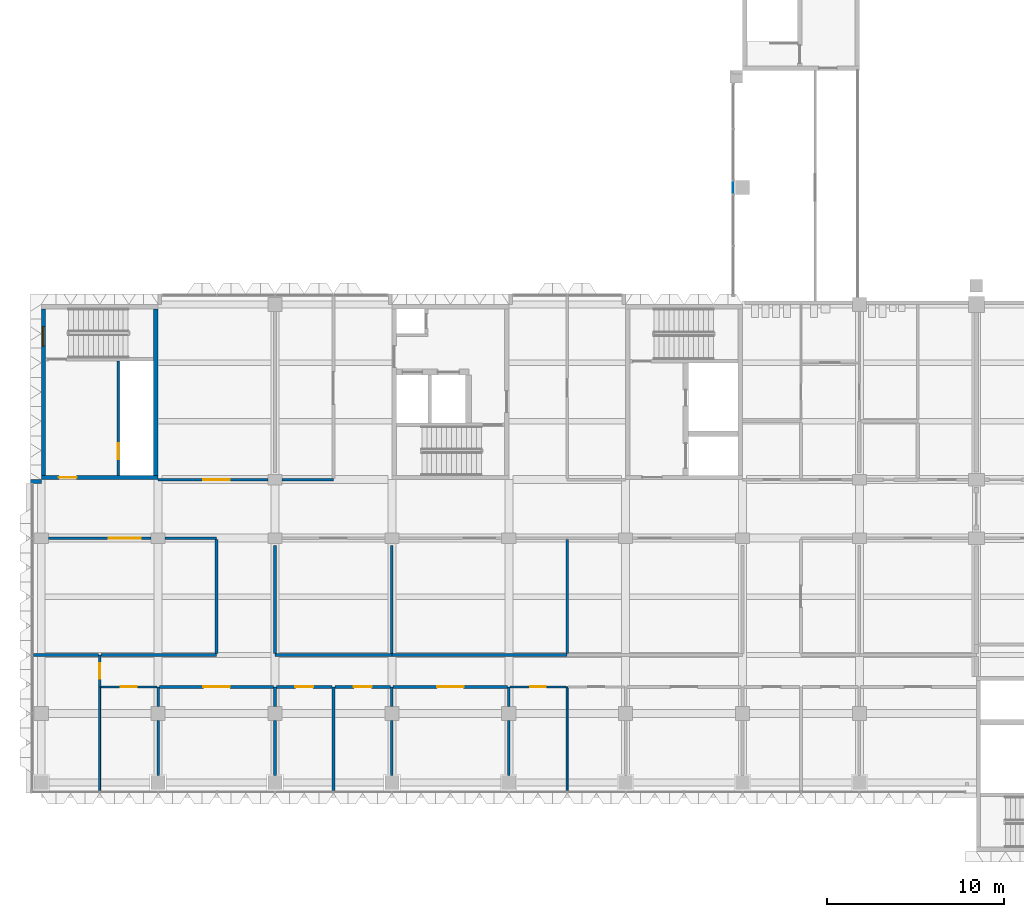
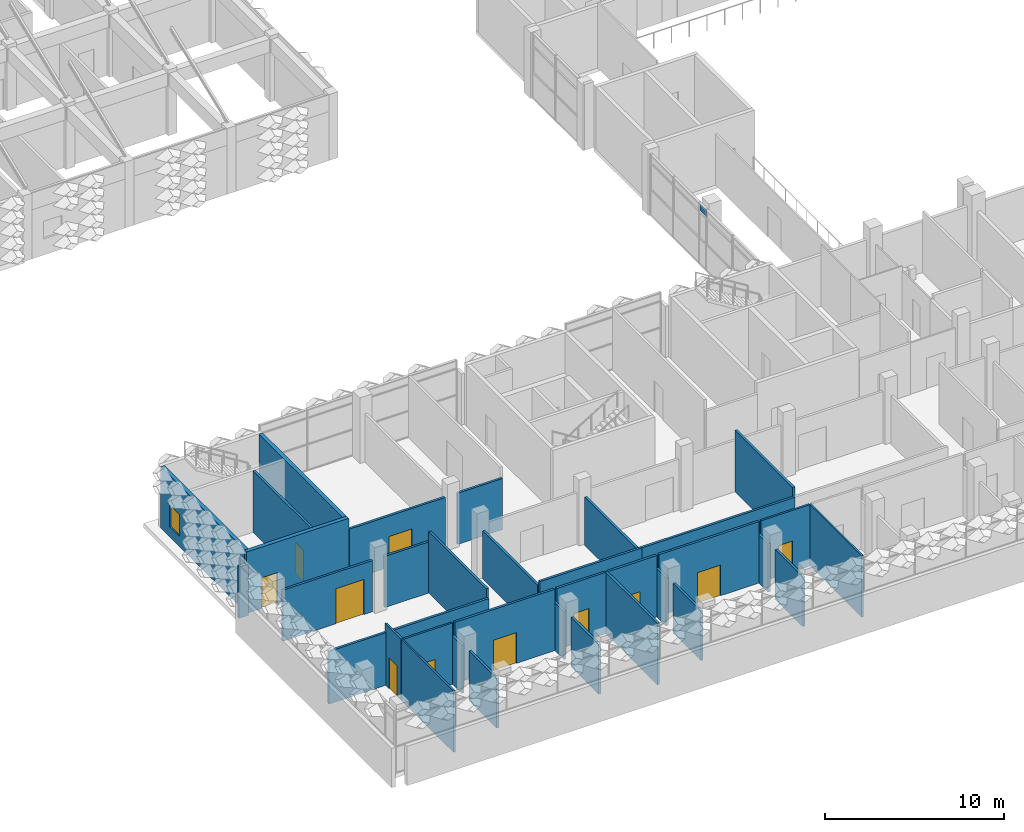
# One storey, part 40 of 102: 35 walls, 11 doors, 1 plate, 1 window, 12 openings, 1 element without a shape of its own.
"""IFC4 building model written with IfcOpenShell, lengths in metres."""

from ifc_helpers import new_model, si_unit, direction, frame, frame_2d, origin, origin_2d, place, context, subcontext, project, spatial, rectangle, extrude, material, layer, layer_set, type_object, element, fill, aggregate, save


model = new_model("IFC4")

# Units and contexts
model_context = context("Model", 3, precision=1e-05, world=origin(), true_north=direction((0.0, 1.0)))
body_context = subcontext(model_context, "Body", "Model", "MODEL_VIEW")
ifc_project = project(units=[si_unit("LENGTHUNIT", "METRE"), si_unit("AREAUNIT", "SQUARE_METRE"), si_unit("VOLUMEUNIT", "CUBIC_METRE"), si_unit("PLANEANGLEUNIT", "RADIAN"), si_unit("MASSUNIT", "GRAM", prefix="KILO")], contexts=[model_context])

# Site, building, storey
site_placement = place(None, origin())
site = spatial("IfcSite", under=ifc_project, at=site_placement, CompositionType="ELEMENT")
building_placement = place(site_placement, origin())
building = spatial("IfcBuilding", under=site, at=building_placement, Name="Lantern Court Research Institute", CompositionType="ELEMENT")
storey_placement = place(building_placement, frame((0.0, 0.0, 9.89990234375)))
storey = spatial("IfcBuildingStorey", under=building, at=storey_placement, Name="L02", CompositionType="ELEMENT", Elevation=9.89990234375)

# Curtain wall, plate
ifc_material_1 = material(Name="Aluminium alloy 6063-T6", Category="aluminium")
curtain_wall_type = type_object("IfcCurtainWallType", Name="Curtain wall 12050 x 4200 x 150 aluminium frame", PredefinedType="NOTDEFINED", material=ifc_material_1)
curtain_wall_placement = place(storey_placement, origin())
curtain_wall = element("IfcCurtainWall", 1, at=curtain_wall_placement, inside=storey, type_object=curtain_wall_type, Name="Curtain wall CW037", PredefinedType="NOTDEFINED")
ifc_material_2 = material(Name="Laminated low-emissivity glass", Category="glass")
ifc_layer_1 = layer(ifc_material_2, 0.028076171875)
ifc_layer_set_1 = layer_set([ifc_layer_1], Name="Laminated low-emissivity glass")
plate_type = type_object("IfcPlateType", Name="Laminated low-emissivity unit 28 mm", PredefinedType="CURTAIN_PANEL", material=ifc_layer_set_1)
plate_placement = place(storey_placement, frame((39.074951171875, 29.699951171875, 3.64990234375), z_axis=(0.0, 0.0, 1.0), x_axis=(0.0, 1.0, 0.0)))
plate = element("IfcPlate", 2, at=plate_placement, type_object=plate_type, Name="CW037 glazed panel 3.3", PredefinedType="CURTAIN_PANEL", context=body_context, shape_type="SweptSolid", body=[
    extrude(rectangle(XDim=0.699951171875, YDim=0.028076171875, at=origin_2d()), origin(), (0.0, 0.0, 1.0), 0.449951171875),
])
aggregate(curtain_wall, [plate])

# Wall, opening, door
ifc_material_3 = material(Name="Fire-rated gypsum board partition, mineral wool filled")
ifc_layer_2 = layer(ifc_material_3, 0.125)
ifc_layer_set_2 = layer_set([ifc_layer_2], Name="Fire-rated gypsum board partition, mineral wool filled")
wall_type_1 = type_object("IfcWallType", Name="Corridor partition 125 EI 60", PredefinedType="PARTITIONING", material=ifc_layer_set_2)
wall_1_placement = place(storey_placement, frame((3.300048828125, 1.5, 0.0), z_axis=(0.0, 0.0, 1.0), x_axis=(0.0, 1.0, 0.0)))
wall_1 = element("IfcWall", 3, at=wall_1_placement, inside=storey, type_object=wall_type_1, Name="Corridor partition 125 EI 60", PredefinedType="PARTITIONING", context=body_context, shape_type="SweptSolid", body=[
    extrude(rectangle(XDim=1.800048828125, YDim=0.125, at=frame_2d((0.89990234375, 0.0))), origin(), (0.0, 0.0, 1.0), 4.2001953125),
])
opening_1_placement = place(wall_1_placement, frame((0.449951171875, 0.0, 0.0)))
opening_1 = element("IfcOpeningElement", 4, at=opening_1_placement, cuts=wall_1, Name="Opening D4212", PredefinedType="OPENING", context=body_context, shape_type="SweptSolid", body=[
    extrude(rectangle(XDim=0.89990234375, YDim=2.10009765625, at=frame_2d((0.449951171875, 1.050048828125))), frame((0.0, 0.072509765625, 0.0), z_axis=(0.0, -1.0, 0.0), x_axis=(1.0, 0.0, 0.0)), (0.0, 0.0, 1.0), 0.14501953125),
])
ifc_material_4 = material(Name="Solid-core timber door leaf", Category="wood")
ifc_layer_3 = layer(ifc_material_4, 0.053955078125)
ifc_layer_set_3 = layer_set([ifc_layer_3], Name="Solid-core timber door leaf")
door_type_1 = type_object("IfcDoorType", Name="Office door 900 x 2100 single FD30S", OperationType="NOTDEFINED", PredefinedType="DOOR", material=ifc_layer_set_3)
door_1_placement = place(opening_1_placement, origin())
door_1 = element("IfcDoor", 5, at=door_1_placement, inside=storey, type_object=door_type_1, Name="Door D4212", OperationType="SINGLE_SWING_LEFT", OverallHeight=2.10009765625, OverallWidth=0.89990234375, PredefinedType="DOOR", context=body_context, shape_type="SweptSolid", body=[
    extrude(rectangle(XDim=0.89990234375, YDim=2.10009765625, at=frame_2d((0.449951171875, 1.050048828125))), frame((0.0, 0.02685546875, 0.0), z_axis=(0.0, -1.0, 0.0), x_axis=(1.0, 0.0, 0.0)), (0.0, 0.0, 1.0), 0.053955078125),
])
fill(opening_1, door_1)

wall_2_placement = place(storey_placement, frame((6.52490234375, 1.5, 0.0), z_axis=(0.0, 0.0, 1.0), x_axis=(-1.0, 0.0, 0.0)))
wall_2 = element("IfcWall", 6, at=wall_2_placement, inside=storey, type_object=wall_type_1, Name="Corridor partition 125 EI 60", PredefinedType="PARTITIONING", context=body_context, shape_type="SweptSolid", body=[
    extrude(rectangle(XDim=3.162353515625, YDim=0.125, at=frame_2d((1.5810546875, 0.0))), origin(), (0.0, 0.0, 1.0), 4.2001953125),
])
opening_2_placement = place(wall_2_placement, frame((1.125, 0.0, 0.0)))
opening_2 = element("IfcOpeningElement", 7, at=opening_2_placement, cuts=wall_2, Name="Opening D4213", PredefinedType="OPENING", context=body_context, shape_type="SweptSolid", body=[
    extrude(rectangle(XDim=0.89990234375, YDim=2.10009765625, at=frame_2d((0.449951171875, 1.050048828125))), frame((0.0, 0.072509765625, 0.0), z_axis=(0.0, -1.0, 0.0), x_axis=(1.0, 0.0, 0.0)), (0.0, 0.0, 1.0), 0.14501953125),
])
door_2_placement = place(opening_2_placement, origin())
door_2 = element("IfcDoor", 8, at=door_2_placement, inside=storey, type_object=door_type_1, Name="Door D4213", OperationType="SINGLE_SWING_LEFT", OverallHeight=2.10009765625, OverallWidth=0.89990234375, PredefinedType="DOOR", context=body_context, shape_type="SweptSolid", body=[
    extrude(rectangle(XDim=0.89990234375, YDim=2.10009765625, at=frame_2d((0.449951171875, 1.050048828125))), frame((0.0, 0.02685546875, 0.0), z_axis=(0.0, -1.0, 0.0), x_axis=(1.0, 0.0, 0.0)), (0.0, 0.0, 1.0), 0.053955078125),
])
fill(opening_2, door_2)

wall_3_placement = place(storey_placement, frame((29.64501953125, 1.5, 0.0), z_axis=(0.0, 0.0, 1.0), x_axis=(-1.0, 0.0, 0.0)))
wall_3 = element("IfcWall", 9, at=wall_3_placement, inside=storey, type_object=wall_type_1, Name="Corridor partition 125 EI 60", PredefinedType="PARTITIONING", context=body_context, shape_type="SweptSolid", body=[
    extrude(rectangle(XDim=3.169921875, YDim=0.125, at=frame_2d((1.5849609375, 0.0))), origin(), (0.0, 0.0, 1.0), 4.2001953125),
])
opening_3_placement = place(wall_3_placement, frame((1.14501953125, 0.0, 0.0)))
opening_3 = element("IfcOpeningElement", 10, at=opening_3_placement, cuts=wall_3, Name="Opening D4218", PredefinedType="OPENING", context=body_context, shape_type="SweptSolid", body=[
    extrude(rectangle(XDim=0.89990234375, YDim=2.10009765625, at=frame_2d((0.449951171875, 1.050048828125))), frame((0.0, 0.072509765625, 0.0), z_axis=(0.0, -1.0, 0.0), x_axis=(1.0, 0.0, 0.0)), (0.0, 0.0, 1.0), 0.14501953125),
])
door_3_placement = place(opening_3_placement, origin())
door_3 = element("IfcDoor", 11, at=door_3_placement, inside=storey, type_object=door_type_1, Name="Door D4218", OperationType="SINGLE_SWING_LEFT", OverallHeight=2.10009765625, OverallWidth=0.89990234375, PredefinedType="DOOR", context=body_context, shape_type="SweptSolid", body=[
    extrude(rectangle(XDim=0.89990234375, YDim=2.10009765625, at=frame_2d((0.449951171875, 1.050048828125))), frame((0.0, 0.02685546875, 0.0), z_axis=(0.0, -1.0, 0.0), x_axis=(1.0, 0.0, 0.0)), (0.0, 0.0, 1.0), 0.053955078125),
])
fill(opening_3, door_3)

ifc_material_5 = material(Name="Fire-rated gypsum board partition, mineral wool filled")
ifc_layer_4 = layer(ifc_material_5, 0.14990234375)
ifc_layer_set_4 = layer_set([ifc_layer_4], Name="Fire-rated gypsum board partition, mineral wool filled")
wall_type_2 = type_object("IfcWallType", Name="Laboratory partition 150 EI 60", PredefinedType="PARTITIONING", material=ifc_layer_set_4)
wall_4_placement = place(storey_placement, frame((12.800048828125, 13.199951171875, 0.0), z_axis=(0.0, 0.0, 1.0), x_axis=(-1.0, 0.0, 0.0)))
wall_4 = element("IfcWall", 12, at=wall_4_placement, inside=storey, type_object=wall_type_2, Name="Laboratory partition 150 EI 60", PredefinedType="PARTITIONING", context=body_context, shape_type="SweptSolid", body=[
    extrude(rectangle(XDim=6.199951171875, YDim=0.14990234375, at=frame_2d((3.10009765625, 0.0))), origin(), (0.0, 0.0, 1.0), 3.5),
])
opening_4_placement = place(wall_4_placement, frame((2.14990234375, 0.0, 0.0)))
opening_4 = element("IfcOpeningElement", 13, at=opening_4_placement, cuts=wall_4, Name="Opening D4202", PredefinedType="OPENING", context=body_context, shape_type="SweptSolid", body=[
    extrude(rectangle(XDim=1.5, YDim=2.10009765625, at=frame_2d((0.75, 1.050048828125))), frame((0.0, 0.0849609375, 0.0), z_axis=(0.0, -1.0, 0.0), x_axis=(1.0, 0.0, 0.0)), (0.0, 0.0, 1.0), 0.169921875),
])
ifc_material_6 = material(Name="Solid-core timber door leaf with vision panel", Category="wood")
ifc_layer_5 = layer(ifc_material_6, 0.053955078125)
ifc_layer_set_5 = layer_set([ifc_layer_5], Name="Solid-core timber door leaf with vision panel")
door_type_2 = type_object("IfcDoorType", Name="Laboratory double door 1500 x 2100 pair FD30S", OperationType="DOUBLE_DOOR_SINGLE_SWING", PredefinedType="DOOR", material=ifc_layer_set_5)
door_4_placement = place(opening_4_placement, origin())
door_4 = element("IfcDoor", 14, at=door_4_placement, inside=storey, type_object=door_type_2, Name="Door D4202", OperationType="DOUBLE_DOOR_SINGLE_SWING", OverallHeight=2.10009765625, OverallWidth=1.5, PredefinedType="DOOR", context=body_context, shape_type="SweptSolid", body=[
    extrude(rectangle(XDim=1.5, YDim=2.10009765625, at=frame_2d((0.75, 1.050048828125))), frame((0.0, 0.02685546875, 0.0), z_axis=(0.0, -1.0, 0.0), x_axis=(1.0, 0.0, 0.0)), (0.0, 0.0, 1.0), 0.053955078125),
])
fill(opening_4, door_4)

# Wall
wall_5_placement = place(storey_placement, frame((16.5, 13.199951171875, 0.0), z_axis=(0.0, 0.0, 1.0), x_axis=(-1.0, 0.0, 0.0)))
element("IfcWall", 15, at=wall_5_placement, inside=storey, type_object=wall_type_2, Name="Laboratory partition 150 EI 60", PredefinedType="PARTITIONING", context=body_context, shape_type="SweptSolid", body=[
    extrude(rectangle(XDim=2.89990234375, YDim=0.14990234375, at=frame_2d((1.449951171875, 0.0))), origin(), (0.0, 0.0, 1.0), 3.5),
])

# Wall, opening, door
wall_6_placement = place(storey_placement, frame((0.39990234375, 9.89990234375, 0.0), z_axis=(0.0, 0.0, 1.0), x_axis=(1.0, 0.0, 0.0)))
wall_6 = element("IfcWall", 16, at=wall_6_placement, inside=storey, type_object=wall_type_2, Name="Laboratory partition 150 EI 60", PredefinedType="PARTITIONING", context=body_context, shape_type="SweptSolid", body=[
    extrude(rectangle(XDim=5.800048828125, YDim=0.14990234375, at=frame_2d((2.89990234375, 0.0))), origin(), (0.0, 0.0, 1.0), 3.5),
])
opening_5_placement = place(wall_6_placement, frame((3.425048828125, 0.0, 0.0)))
opening_5 = element("IfcOpeningElement", 17, at=opening_5_placement, cuts=wall_6, Name="Opening D4224", PredefinedType="OPENING", context=body_context, shape_type="SweptSolid", body=[
    extrude(rectangle(XDim=1.800048828125, YDim=2.39990234375, at=frame_2d((0.89990234375, 1.199951171875))), frame((0.0, 0.0849609375, 0.0), z_axis=(0.0, -1.0, 0.0), x_axis=(1.0, 0.0, 0.0)), (0.0, 0.0, 1.0), 0.169921875),
])
ifc_material_7 = material(Name="Solid-core timber door leaf with vision panel", Category="wood")
ifc_layer_6 = layer(ifc_material_7, 0.053955078125)
ifc_layer_set_6 = layer_set([ifc_layer_6], Name="Solid-core timber door leaf with vision panel")
door_type_3 = type_object("IfcDoorType", Name="Laboratory equipment door 1800 x 2400 pair FD30S", OperationType="DOUBLE_DOOR_SINGLE_SWING", PredefinedType="DOOR", material=ifc_layer_set_6)
door_5_placement = place(opening_5_placement, origin())
door_5 = element("IfcDoor", 18, at=door_5_placement, inside=storey, type_object=door_type_3, Name="Door D4224", OperationType="DOUBLE_DOOR_SINGLE_SWING", OverallHeight=2.39990234375, OverallWidth=1.800048828125, PredefinedType="DOOR", context=body_context, shape_type="SweptSolid", body=[
    extrude(rectangle(XDim=1.800048828125, YDim=2.39990234375, at=frame_2d((0.89990234375, 1.199951171875))), frame((0.0, 0.02685546875, 0.0), z_axis=(0.0, -1.0, 0.0), x_axis=(1.0, 0.0, 0.0)), (0.0, 0.0, 1.0), 0.053955078125),
])
fill(opening_5, door_5)

# Walls
wall_7_placement = place(storey_placement, frame((7.0, 9.89990234375, 0.0), z_axis=(0.0, 0.0, 1.0), x_axis=(1.0, 0.0, 0.0)))
element("IfcWall", 19, at=wall_7_placement, inside=storey, type_object=wall_type_2, Name="Laboratory partition 150 EI 60", PredefinedType="PARTITIONING", context=body_context, shape_type="SweptSolid", body=[
    extrude(rectangle(XDim=2.89990234375, YDim=0.14990234375, at=frame_2d((1.449951171875, 0.0))), origin(), (0.0, 0.0, 1.0), 3.5),
])
wall_8_placement = place(storey_placement, frame((3.237548828125, 3.300048828125, 0.0), z_axis=(0.0, 0.0, 1.0), x_axis=(-1.0, 0.0, 0.0)))
element("IfcWall", 20, at=wall_8_placement, inside=storey, type_object=wall_type_2, Name="Laboratory partition 150 EI 60", PredefinedType="PARTITIONING", context=body_context, shape_type="SweptSolid", body=[
    extrude(rectangle(XDim=3.6875, YDim=0.14990234375, at=frame_2d((1.84375, 0.0))), origin(), (0.0, 0.0, 1.0), 3.60009765625),
])
wall_9_placement = place(storey_placement, frame((6.60009765625, -3.5, 0.0), z_axis=(0.0, 0.0, 1.0), x_axis=(0.0, 1.0, 0.0)))
element("IfcWall", 21, at=wall_9_placement, inside=storey, type_object=wall_type_2, Name="Laboratory partition 150 EI 60", PredefinedType="PARTITIONING", context=body_context, shape_type="SweptSolid", body=[
    extrude(rectangle(XDim=3.10009765625, YDim=0.14990234375, at=frame_2d((1.550048828125, 0.0))), origin(), (0.0, 0.0, 1.0), 3.400146484375),
])
wall_10_placement = place(storey_placement, frame((6.60009765625, 0.39990234375, 0.0), z_axis=(0.0, 0.0, 1.0), x_axis=(0.0, 1.0, 0.0)))
element("IfcWall", 22, at=wall_10_placement, inside=storey, type_object=wall_type_2, Name="Laboratory partition 150 EI 60", PredefinedType="PARTITIONING", context=body_context, shape_type="SweptSolid", body=[
    extrude(rectangle(XDim=1.10009765625, YDim=0.14990234375, at=frame_2d((0.550048828125, 0.0))), origin(), (0.0, 0.0, 1.0), 3.300048828125),
])
wall_11_placement = place(storey_placement, frame((13.199951171875, -3.5, 0.0), z_axis=(0.0, 0.0, 1.0), x_axis=(0.0, 1.0, 0.0)))
element("IfcWall", 23, at=wall_11_placement, inside=storey, type_object=wall_type_2, Name="Laboratory partition 150 EI 60", PredefinedType="PARTITIONING", context=body_context, shape_type="SweptSolid", body=[
    extrude(rectangle(XDim=3.10009765625, YDim=0.14990234375, at=frame_2d((1.550048828125, 0.0))), origin(), (0.0, 0.0, 1.0), 3.400146484375),
])
wall_12_placement = place(storey_placement, frame((13.199951171875, 0.39990234375, 0.0), z_axis=(0.0, 0.0, 1.0), x_axis=(0.0, 1.0, 0.0)))
element("IfcWall", 24, at=wall_12_placement, inside=storey, type_object=wall_type_2, Name="Laboratory partition 150 EI 60", PredefinedType="PARTITIONING", context=body_context, shape_type="SweptSolid", body=[
    extrude(rectangle(XDim=1.10009765625, YDim=0.14990234375, at=frame_2d((0.550048828125, 0.0))), origin(), (0.0, 0.0, 1.0), 3.300048828125),
])

# Wall, opening, door
wall_13_placement = place(storey_placement, frame((13.125, 1.5, 0.0), z_axis=(0.0, 0.0, 1.0), x_axis=(-1.0, 0.0, 0.0)))
wall_13 = element("IfcWall", 25, at=wall_13_placement, inside=storey, type_object=wall_type_2, Name="Laboratory partition 150 EI 60", PredefinedType="PARTITIONING", context=body_context, shape_type="SweptSolid", body=[
    extrude(rectangle(XDim=6.449951171875, YDim=0.14990234375, at=frame_2d((3.22509765625, 0.0))), origin(), (0.0, 0.0, 1.0), 4.2001953125),
])
opening_6_placement = place(wall_13_placement, frame((2.47509765625, 0.0, 0.0)))
opening_6 = element("IfcOpeningElement", 26, at=opening_6_placement, cuts=wall_13, Name="Opening D4214", PredefinedType="OPENING", context=body_context, shape_type="SweptSolid", body=[
    extrude(rectangle(XDim=1.5, YDim=2.10009765625, at=frame_2d((0.75, 1.050048828125))), frame((0.0, 0.0849609375, 0.0), z_axis=(0.0, -1.0, 0.0), x_axis=(1.0, 0.0, 0.0)), (0.0, 0.0, 1.0), 0.169921875),
])
door_6_placement = place(opening_6_placement, origin())
door_6 = element("IfcDoor", 27, at=door_6_placement, inside=storey, type_object=door_type_2, Name="Door D4214", OperationType="DOUBLE_DOOR_SINGLE_SWING", OverallHeight=2.10009765625, OverallWidth=1.5, PredefinedType="DOOR", context=body_context, shape_type="SweptSolid", body=[
    extrude(rectangle(XDim=1.5, YDim=2.10009765625, at=frame_2d((0.75, 1.050048828125))), frame((0.0, 0.02685546875, 0.0), z_axis=(0.0, -1.0, 0.0), x_axis=(1.0, 0.0, 0.0)), (0.0, 0.0, 1.0), 0.053955078125),
])
fill(opening_6, door_6)

# Wall
wall_14_placement = place(storey_placement, frame((16.5, -4.35009765625, 0.0), z_axis=(0.0, 0.0, 1.0), x_axis=(0.0, 1.0, 0.0)))
element("IfcWall", 28, at=wall_14_placement, inside=storey, type_object=wall_type_2, Name="Laboratory partition 150 EI 60", PredefinedType="PARTITIONING", context=body_context, shape_type="SweptSolid", body=[
    extrude(rectangle(XDim=5.85009765625, YDim=0.14990234375, at=frame_2d((2.925048828125, 0.0))), origin(), (0.0, 0.0, 1.0), 4.2001953125),
])

# Wall, opening, door
wall_15_placement = place(storey_placement, frame((16.425048828125, 1.5, 0.0), z_axis=(0.0, 0.0, 1.0), x_axis=(-1.0, 0.0, 0.0)))
wall_15 = element("IfcWall", 29, at=wall_15_placement, inside=storey, type_object=wall_type_2, Name="Laboratory partition 150 EI 60", PredefinedType="PARTITIONING", context=body_context, shape_type="SweptSolid", body=[
    extrude(rectangle(XDim=3.150146484375, YDim=0.14990234375, at=frame_2d((1.5751953125, 0.0))), origin(), (0.0, 0.0, 1.0), 4.2001953125),
])
opening_7_placement = place(wall_15_placement, frame((1.074951171875, 0.0, 0.0)))
opening_7 = element("IfcOpeningElement", 30, at=opening_7_placement, cuts=wall_15, Name="Opening D4215", PredefinedType="OPENING", context=body_context, shape_type="SweptSolid", body=[
    extrude(rectangle(XDim=1.0, YDim=2.10009765625, at=frame_2d((0.5, 1.050048828125))), frame((0.0, 0.0849609375, 0.0), z_axis=(0.0, -1.0, 0.0), x_axis=(1.0, 0.0, 0.0)), (0.0, 0.0, 1.0), 0.169921875),
])
ifc_material_8 = material(Name="Solid-core timber door leaf with vision panel", Category="wood")
ifc_layer_7 = layer(ifc_material_8, 0.053955078125)
ifc_layer_set_7 = layer_set([ifc_layer_7], Name="Solid-core timber door leaf with vision panel")
door_type_4 = type_object("IfcDoorType", Name="Laboratory door 1000 x 2100 single FD30S", OperationType="NOTDEFINED", PredefinedType="DOOR", material=ifc_layer_set_7)
door_7_placement = place(opening_7_placement, origin())
door_7 = element("IfcDoor", 31, at=door_7_placement, inside=storey, type_object=door_type_4, Name="Door D4215", OperationType="SINGLE_SWING_LEFT", OverallHeight=2.10009765625, OverallWidth=1.0, PredefinedType="DOOR", context=body_context, shape_type="SweptSolid", body=[
    extrude(rectangle(XDim=1.0, YDim=2.10009765625, at=frame_2d((0.5, 1.050048828125))), frame((0.0, 0.02685546875, 0.0), z_axis=(0.0, -1.0, 0.0), x_axis=(1.0, 0.0, 0.0)), (0.0, 0.0, 1.0), 0.053955078125),
])
fill(opening_7, door_7)

# Walls
wall_16_placement = place(storey_placement, frame((19.800048828125, -3.5, 0.0), z_axis=(0.0, 0.0, 1.0), x_axis=(0.0, 1.0, 0.0)))
element("IfcWall", 32, at=wall_16_placement, inside=storey, type_object=wall_type_2, Name="Laboratory partition 150 EI 60", PredefinedType="PARTITIONING", context=body_context, shape_type="SweptSolid", body=[
    extrude(rectangle(XDim=3.10009765625, YDim=0.14990234375, at=frame_2d((1.550048828125, 0.0))), origin(), (0.0, 0.0, 1.0), 3.400146484375),
])
wall_17_placement = place(storey_placement, frame((19.800048828125, 0.39990234375, 0.0), z_axis=(0.0, 0.0, 1.0), x_axis=(0.0, 1.0, 0.0)))
element("IfcWall", 33, at=wall_17_placement, inside=storey, type_object=wall_type_2, Name="Laboratory partition 150 EI 60", PredefinedType="PARTITIONING", context=body_context, shape_type="SweptSolid", body=[
    extrude(rectangle(XDim=1.10009765625, YDim=0.14990234375, at=frame_2d((0.550048828125, 0.0))), origin(), (0.0, 0.0, 1.0), 3.300048828125),
])

# Wall, opening, door
wall_18_placement = place(storey_placement, frame((19.72509765625, 1.5, 0.0), z_axis=(0.0, 0.0, 1.0), x_axis=(-1.0, 0.0, 0.0)))
wall_18 = element("IfcWall", 34, at=wall_18_placement, inside=storey, type_object=wall_type_2, Name="Laboratory partition 150 EI 60", PredefinedType="PARTITIONING", context=body_context, shape_type="SweptSolid", body=[
    extrude(rectangle(XDim=3.150146484375, YDim=0.14990234375, at=frame_2d((1.5751953125, 0.0))), origin(), (0.0, 0.0, 1.0), 4.2001953125),
])
opening_8_placement = place(wall_18_placement, frame((1.074951171875, 0.0, 0.0)))
opening_8 = element("IfcOpeningElement", 35, at=opening_8_placement, cuts=wall_18, Name="Opening D4216", PredefinedType="OPENING", context=body_context, shape_type="SweptSolid", body=[
    extrude(rectangle(XDim=1.0, YDim=2.10009765625, at=frame_2d((0.5, 1.050048828125))), frame((0.0, 0.0849609375, 0.0), z_axis=(0.0, -1.0, 0.0), x_axis=(1.0, 0.0, 0.0)), (0.0, 0.0, 1.0), 0.169921875),
])
door_8_placement = place(opening_8_placement, origin())
door_8 = element("IfcDoor", 36, at=door_8_placement, inside=storey, type_object=door_type_4, Name="Door D4216", OperationType="SINGLE_SWING_LEFT", OverallHeight=2.10009765625, OverallWidth=1.0, PredefinedType="DOOR", context=body_context, shape_type="SweptSolid", body=[
    extrude(rectangle(XDim=1.0, YDim=2.10009765625, at=frame_2d((0.5, 1.050048828125))), frame((0.0, 0.02685546875, 0.0), z_axis=(0.0, -1.0, 0.0), x_axis=(1.0, 0.0, 0.0)), (0.0, 0.0, 1.0), 0.053955078125),
])
fill(opening_8, door_8)

# Walls
wall_19_placement = place(storey_placement, frame((26.39990234375, -3.5, 0.0), z_axis=(0.0, 0.0, 1.0), x_axis=(0.0, 1.0, 0.0)))
element("IfcWall", 37, at=wall_19_placement, inside=storey, type_object=wall_type_2, Name="Laboratory partition 150 EI 60", PredefinedType="PARTITIONING", context=body_context, shape_type="SweptSolid", body=[
    extrude(rectangle(XDim=3.10009765625, YDim=0.14990234375, at=frame_2d((1.550048828125, 0.0))), origin(), (0.0, 0.0, 1.0), 3.400146484375),
])
wall_20_placement = place(storey_placement, frame((26.39990234375, 0.39990234375, 0.0), z_axis=(0.0, 0.0, 1.0), x_axis=(0.0, 1.0, 0.0)))
element("IfcWall", 38, at=wall_20_placement, inside=storey, type_object=wall_type_2, Name="Laboratory partition 150 EI 60", PredefinedType="PARTITIONING", context=body_context, shape_type="SweptSolid", body=[
    extrude(rectangle(XDim=1.10009765625, YDim=0.14990234375, at=frame_2d((0.550048828125, 0.0))), origin(), (0.0, 0.0, 1.0), 3.300048828125),
])

# Wall, opening, door
wall_21_placement = place(storey_placement, frame((26.324951171875, 1.5, 0.0), z_axis=(0.0, 0.0, 1.0), x_axis=(-1.0, 0.0, 0.0)))
wall_21 = element("IfcWall", 39, at=wall_21_placement, inside=storey, type_object=wall_type_2, Name="Laboratory partition 150 EI 60", PredefinedType="PARTITIONING", context=body_context, shape_type="SweptSolid", body=[
    extrude(rectangle(XDim=6.449951171875, YDim=0.14990234375, at=frame_2d((3.22509765625, 0.0))), origin(), (0.0, 0.0, 1.0), 4.2001953125),
])
opening_9_placement = place(wall_21_placement, frame((2.47509765625, 0.0, 0.0)))
opening_9 = element("IfcOpeningElement", 40, at=opening_9_placement, cuts=wall_21, Name="Opening D4217", PredefinedType="OPENING", context=body_context, shape_type="SweptSolid", body=[
    extrude(rectangle(XDim=1.5, YDim=2.10009765625, at=frame_2d((0.75, 1.050048828125))), frame((0.0, 0.0849609375, 0.0), z_axis=(0.0, -1.0, 0.0), x_axis=(1.0, 0.0, 0.0)), (0.0, 0.0, 1.0), 0.169921875),
])
door_9_placement = place(opening_9_placement, origin())
door_9 = element("IfcDoor", 41, at=door_9_placement, inside=storey, type_object=door_type_2, Name="Door D4217", OperationType="DOUBLE_DOOR_SINGLE_SWING", OverallHeight=2.10009765625, OverallWidth=1.5, PredefinedType="DOOR", context=body_context, shape_type="SweptSolid", body=[
    extrude(rectangle(XDim=1.5, YDim=2.10009765625, at=frame_2d((0.75, 1.050048828125))), frame((0.0, 0.02685546875, 0.0), z_axis=(0.0, -1.0, 0.0), x_axis=(1.0, 0.0, 0.0)), (0.0, 0.0, 1.0), 0.053955078125),
])
fill(opening_9, door_9)

# Walls
wall_22_placement = place(storey_placement, frame((9.89990234375, 3.300048828125, 0.0), z_axis=(0.0, 0.0, 1.0), x_axis=(-1.0, 0.0, 0.0)))
element("IfcWall", 42, at=wall_22_placement, inside=storey, type_object=wall_type_2, Name="Laboratory partition 150 EI 60", PredefinedType="PARTITIONING", context=body_context, shape_type="SweptSolid", body=[
    extrude(rectangle(XDim=6.537353515625, YDim=0.14990234375, at=frame_2d((3.2685546875, 0.0))), origin(), (0.0, 0.0, 1.0), 3.60009765625),
])
wall_23_placement = place(storey_placement, frame((19.800048828125, 3.300048828125, 0.0), z_axis=(0.0, 0.0, 1.0), x_axis=(-1.0, 0.0, 0.0)))
element("IfcWall", 43, at=wall_23_placement, inside=storey, type_object=wall_type_2, Name="Laboratory partition 150 EI 60", PredefinedType="PARTITIONING", context=body_context, shape_type="SweptSolid", body=[
    extrude(rectangle(XDim=6.60009765625, YDim=0.14990234375, at=frame_2d((3.300048828125, 0.0))), origin(), (0.0, 0.0, 1.0), 3.60009765625),
])
wall_24_placement = place(storey_placement, frame((29.699951171875, 3.300048828125, 0.0), z_axis=(0.0, 0.0, 1.0), x_axis=(-1.0, 0.0, 0.0)))
element("IfcWall", 44, at=wall_24_placement, inside=storey, type_object=wall_type_2, Name="Laboratory partition 150 EI 60", PredefinedType="PARTITIONING", context=body_context, shape_type="SweptSolid", body=[
    extrude(rectangle(XDim=9.89990234375, YDim=0.14990234375, at=frame_2d((4.949951171875, 0.0))), origin(), (0.0, 0.0, 1.0), 3.60009765625),
])
wall_25_placement = place(storey_placement, frame((9.89990234375, 3.375, 0.0), z_axis=(0.0, 0.0, 1.0), x_axis=(0.0, 1.0, 0.0)))
element("IfcWall", 45, at=wall_25_placement, inside=storey, type_object=wall_type_2, Name="Laboratory partition 150 EI 60", PredefinedType="PARTITIONING", context=body_context, shape_type="SweptSolid", body=[
    extrude(rectangle(XDim=6.449951171875, YDim=0.14990234375, at=frame_2d((3.22509765625, 0.0))), origin(), (0.0, 0.0, 1.0), 4.2001953125),
])
for number, where, z_axis, x_axis, name in (
    (46, (13.199951171875, 3.375, 0.0), (0.0, 0.0, 1.0), (0.0, 1.0, 0.0), "Laboratory partition 150 EI 60"),
    (47, (19.800048828125, 3.375, 0.0), (0.0, 0.0, 1.0), (0.0, 1.0, 0.0), "Laboratory partition 150 EI 60"),
):
    element("IfcWall", number, at=place(storey_placement, frame(where, z_axis=z_axis, x_axis=x_axis)), inside=storey, type_object=wall_type_2, Name=name, PredefinedType="PARTITIONING", context=body_context, shape_type="SweptSolid", body=[
        extrude(rectangle(XDim=6.125, YDim=0.14990234375, at=frame_2d((3.0625, 0.0))), origin(), (0.0, 0.0, 1.0), 3.300048828125),
    ])
wall_26_placement = place(storey_placement, frame((29.699951171875, 3.375, 0.0), z_axis=(0.0, 0.0, 1.0), x_axis=(0.0, 1.0, 0.0)))
element("IfcWall", 48, at=wall_26_placement, inside=storey, type_object=wall_type_2, Name="Laboratory partition 150 EI 60", PredefinedType="PARTITIONING", context=body_context, shape_type="SweptSolid", body=[
    extrude(rectangle(XDim=6.449951171875, YDim=0.14990234375, at=frame_2d((3.22509765625, 0.0))), origin(), (0.0, 0.0, 1.0), 4.2001953125),
])
ifc_material_9 = material(Name="Fire-rated gypsum board partition, mineral wool filled")
ifc_layer_8 = layer(ifc_material_9, 0.110107421875)
ifc_layer_set_8 = layer_set([ifc_layer_8], Name="Fire-rated gypsum board partition, mineral wool filled")
wall_type_3 = type_object("IfcWallType", Name="Office partition 110 EI 30", PredefinedType="PARTITIONING", material=ifc_layer_set_8)
for number, where, z_axis, x_axis, name in (
    (49, (3.300048828125, -4.35009765625, 0.0), (0.0, 0.0, 1.0), (0.0, 1.0, 0.0), "Office partition 110 EI 30"),
    (50, (29.699951171875, -4.35009765625, 0.0), (0.0, 0.0, 1.0), (0.0, 1.0, 0.0), "Office partition 110 EI 30"),
):
    element("IfcWall", number, at=place(storey_placement, frame(where, z_axis=z_axis, x_axis=x_axis)), inside=storey, type_object=wall_type_3, Name=name, PredefinedType="PARTITIONING", context=body_context, shape_type="SweptSolid", body=[
        extrude(rectangle(XDim=5.85009765625, YDim=0.110107421875, at=frame_2d((2.925048828125, 0.0))), origin(), (0.0, 0.0, 1.0), 4.2001953125),
    ])

# Wall, opening, door
ifc_material_10 = material(Name="Concrete C40/50", Category="concrete")
ifc_layer_9 = layer(ifc_material_10, 0.25)
ifc_layer_set_9 = layer_set([ifc_layer_9], Name="Concrete C40/50")
wall_type_4 = type_object("IfcWallType", Name="RC core wall 250", PredefinedType="SHEAR", material=ifc_layer_set_9)
wall_27_placement = place(storey_placement, frame((0.0, 13.324951171875, 0.0), z_axis=(0.0, 0.0, 1.0), x_axis=(1.0, 0.0, 0.0)))
wall_27 = element("IfcWall", 51, at=wall_27_placement, inside=storey, type_object=wall_type_4, Name="South wall of core BC-W", PredefinedType="SHEAR", context=body_context, shape_type="SweptSolid", body=[
    extrude(rectangle(XDim=6.60009765625, YDim=0.25, at=frame_2d((3.300048828125, 0.0))), origin(), (0.0, 0.0, 1.0), 4.2001953125),
])
opening_10_placement = place(wall_27_placement, frame((1.0, 0.0, 0.0)))
opening_10 = element("IfcOpeningElement", 52, at=opening_10_placement, cuts=wall_27, Name="Opening D7012", PredefinedType="OPENING", context=body_context, shape_type="SweptSolid", body=[
    extrude(rectangle(XDim=1.0, YDim=2.10009765625, at=frame_2d((0.5, 1.050048828125))), frame((0.0, 0.135009765625, 0.0), z_axis=(0.0, -1.0, 0.0), x_axis=(1.0, 0.0, 0.0)), (0.0, 0.0, 1.0), 0.27001953125),
])
ifc_material_11 = material(Name="Steel fire door leaf with smoke seals", Category="steel")
door_type_5 = type_object("IfcDoorType", Name="Door 1000 x 2100 fire rated FD60S", OperationType="NOTDEFINED", PredefinedType="DOOR", material=ifc_material_11)
door_10_placement = place(opening_10_placement, origin())
door_10 = element("IfcDoor", 53, at=door_10_placement, inside=storey, type_object=door_type_5, Name="Lobby door", OperationType="SINGLE_SWING_RIGHT", OverallHeight=2.10009765625, OverallWidth=1.0, PredefinedType="DOOR", context=body_context, shape_type="SweptSolid", body=[
    extrude(rectangle(XDim=1.0, YDim=2.10009765625, at=frame_2d((0.5, 1.050048828125))), frame((0.0, 0.02490234375, 0.0), z_axis=(0.0, -1.0, 0.0), x_axis=(1.0, 0.0, 0.0)), (0.0, 0.0, 1.0), 0.050048828125),
])
fill(opening_10, door_10)

# Wall
wall_28_placement = place(storey_placement, frame((6.47509765625, 13.449951171875, 0.0), z_axis=(0.0, 0.0, 1.0), x_axis=(0.0, 1.0, 0.0)))
element("IfcWall", 54, at=wall_28_placement, inside=storey, type_object=wall_type_4, Name="East wall of core BC-W", PredefinedType="SHEAR", context=body_context, shape_type="SweptSolid", body=[
    extrude(rectangle(XDim=9.400146484375, YDim=0.25, at=frame_2d((4.7001953125, 0.0))), origin(), (0.0, 0.0, 1.0), 4.2001953125),
])

# Wall, opening, window
ifc_material_12 = material(Name="Concrete C40/50", Category="concrete")
ifc_layer_10 = layer(ifc_material_12, 0.25)
ifc_layer_set_10 = layer_set([ifc_layer_10], Name="Concrete C40/50")
wall_type_5 = type_object("IfcWallType", Name="RC core wall 250 facade", PredefinedType="SHEAR", material=ifc_layer_set_10)
wall_29_placement = place(storey_placement, frame((0.125, 13.449951171875, 0.0), z_axis=(0.0, 0.0, 1.0), x_axis=(0.0, 1.0, 0.0)))
wall_29 = element("IfcWall", 55, at=wall_29_placement, inside=storey, type_object=wall_type_5, Name="West wall of core BC-W", PredefinedType="SHEAR", context=body_context, shape_type="SweptSolid", body=[
    extrude(rectangle(XDim=9.400146484375, YDim=0.25, at=frame_2d((4.7001953125, 0.0))), origin(), (0.0, 0.0, 1.0), 4.2001953125),
])
opening_11_placement = place(wall_29_placement, frame((7.300048828125, 0.0, 0.699951171875)))
opening_11 = element("IfcOpeningElement", 56, at=opening_11_placement, cuts=wall_29, Name="Opening W5", PredefinedType="OPENING", context=body_context, shape_type="SweptSolid", body=[
    extrude(rectangle(XDim=1.10009765625, YDim=1.5, at=frame_2d((0.550048828125, 0.75))), frame((0.0, 0.135009765625, 0.0), z_axis=(0.0, -1.0, 0.0), x_axis=(1.0, 0.0, 0.0)), (0.0, 0.0, 1.0), 0.27001953125),
])
ifc_material_13 = material(Name="Aluminium alloy 6063-T6 frame with laminated glass", Category="aluminium")
window_type = type_object("IfcWindowType", Name="Stair window 1100 x 1500", PartitioningType="SINGLE_PANEL", PredefinedType="WINDOW", material=ifc_material_13)
window_placement = place(opening_11_placement, origin())
window = element("IfcWindow", 57, at=window_placement, inside=storey, type_object=window_type, Name="Stair window", OverallHeight=1.5, OverallWidth=1.10009765625, PartitioningType="SINGLE_PANEL", PredefinedType="WINDOW", context=body_context, shape_type="SweptSolid", body=[
    extrude(rectangle(XDim=1.10009765625, YDim=1.5, at=frame_2d((0.550048828125, 0.75))), frame((0.0, 0.030029296875, 0.0), z_axis=(0.0, -1.0, 0.0), x_axis=(1.0, 0.0, 0.0)), (0.0, 0.0, 1.0), 0.06005859375),
])
fill(opening_11, window)

# Wall, opening, door
ifc_material_14 = material(Name="Concrete C40/50", Category="concrete")
ifc_layer_11 = layer(ifc_material_14, 0.14990234375)
ifc_layer_set_11 = layer_set([ifc_layer_11], Name="Concrete C40/50")
wall_type_6 = type_object("IfcWallType", Name="RC shaft wall 150", PredefinedType="SHEAR", material=ifc_layer_set_11)
wall_30_placement = place(storey_placement, frame((4.35009765625, 13.449951171875, 0.0), z_axis=(0.0, 0.0, 1.0), x_axis=(0.0, 1.0, 0.0)))
wall_30 = element("IfcWall", 58, at=wall_30_placement, inside=storey, type_object=wall_type_6, Name="Riser wall of core BC-W", PredefinedType="SHEAR", context=body_context, shape_type="SweptSolid", body=[
    extrude(rectangle(XDim=6.449951171875, YDim=0.14990234375, at=frame_2d((3.22509765625, 0.0))), origin(), (0.0, 0.0, 1.0), 4.2001953125),
])
opening_12_placement = place(wall_30_placement, frame((0.89990234375, 0.0, 0.0)))
opening_12 = element("IfcOpeningElement", 59, at=opening_12_placement, cuts=wall_30, Name="Opening D7011", PredefinedType="OPENING", context=body_context, shape_type="SweptSolid", body=[
    extrude(rectangle(XDim=0.89990234375, YDim=2.10009765625, at=frame_2d((0.449951171875, 1.050048828125))), frame((0.0, 0.0849609375, 0.0), z_axis=(0.0, -1.0, 0.0), x_axis=(1.0, 0.0, 0.0)), (0.0, 0.0, 1.0), 0.169921875),
])
ifc_material_15 = material(Name="Steel fire door leaf", Category="steel")
door_type_6 = type_object("IfcDoorType", Name="Door 900 x 2100 fire rated FD60", OperationType="NOTDEFINED", PredefinedType="DOOR", material=ifc_material_15)
door_11_placement = place(opening_12_placement, origin())
door_11 = element("IfcDoor", 60, at=door_11_placement, inside=storey, type_object=door_type_6, Name="Riser door", OperationType="SINGLE_SWING_RIGHT", OverallHeight=2.10009765625, OverallWidth=0.89990234375, PredefinedType="DOOR", context=body_context, shape_type="SweptSolid", body=[
    extrude(rectangle(XDim=0.89990234375, YDim=2.10009765625, at=frame_2d((0.449951171875, 1.050048828125))), frame((0.0, 0.02490234375, 0.0), z_axis=(0.0, -1.0, 0.0), x_axis=(1.0, 0.0, 0.0)), (0.0, 0.0, 1.0), 0.050048828125),
])
fill(opening_12, door_11)

# Wall
ifc_material_16 = material(Name="Concrete C40/50", Category="concrete")
ifc_layer_12 = layer(ifc_material_16, 0.199951171875)
ifc_layer_set_12 = layer_set([ifc_layer_12], Name="Concrete C40/50")
wall_type_7 = type_object("IfcWallType", Name="Return wall 200 concrete EI 120 aluminium faced", PredefinedType="STANDARD", material=ifc_layer_set_12)
wall_31_placement = place(storey_placement, frame((0.0, 13.10009765625, 0.0), z_axis=(0.0, 0.0, 1.0), x_axis=(-1.0, 0.0, 0.0)))
element("IfcWall", 61, at=wall_31_placement, inside=storey, type_object=wall_type_7, Name="Core return wall 30", PredefinedType="STANDARD", context=body_context, shape_type="SweptSolid", body=[
    extrude(rectangle(XDim=0.60009765625, YDim=0.199951171875, at=frame_2d((0.300048828125, 0.0))), origin(), (0.0, 0.0, 1.0), 3.5),
])

save(model, "model.ifc")
